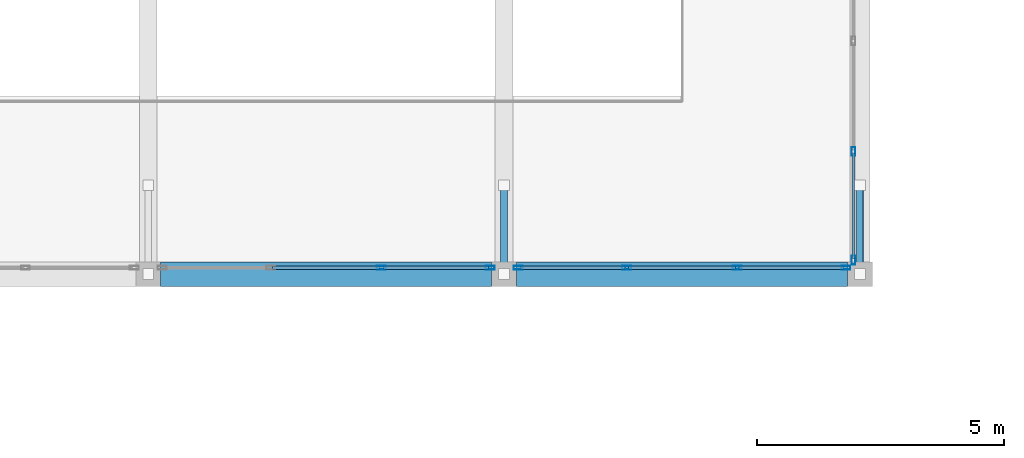
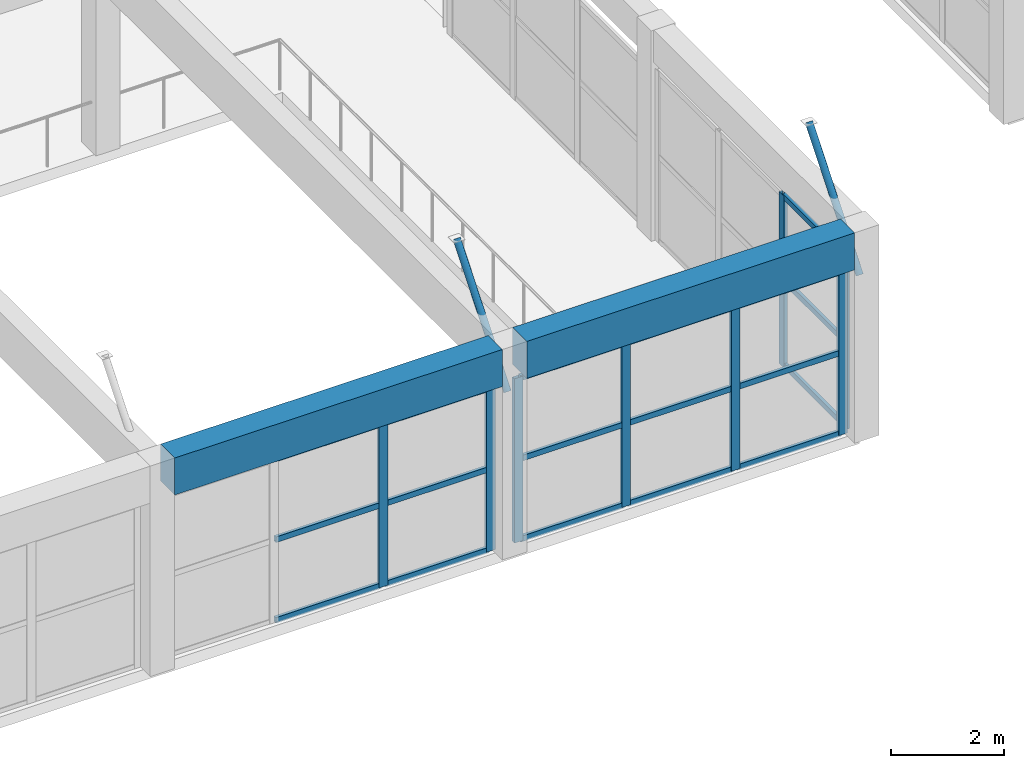
# One storey, part 36 of 153: 28 members, 2 beams, 3 elements without a shape of their own.
"""IFC4 building model written with IfcOpenShell, lengths in metres."""

from ifc_helpers import new_model, si_unit, direction, frame, origin, origin_2d, place, context, subcontext, project, spatial, rectangle, hollow_rectangle, hollow_circle, extrude, material, material_profile, profile_set, type_object, element, aggregate, save


model = new_model("IFC4")

# Units and contexts
model_context = context("Model", 3, precision=1e-05, world=origin(), true_north=direction((0.0, 1.0)))
body_context = subcontext(model_context, "Body", "Model", "MODEL_VIEW")
ifc_project = project(units=[si_unit("LENGTHUNIT", "METRE"), si_unit("AREAUNIT", "SQUARE_METRE"), si_unit("VOLUMEUNIT", "CUBIC_METRE"), si_unit("PLANEANGLEUNIT", "RADIAN"), si_unit("MASSUNIT", "GRAM", prefix="KILO")], contexts=[model_context])

# Site, building, storey
site_placement = place(None, origin())
site = spatial("IfcSite", under=ifc_project, at=site_placement, CompositionType="ELEMENT")
building_placement = place(site_placement, origin())
building = spatial("IfcBuilding", under=site, at=building_placement, Name="Bramvelor Terrace Health Centre", CompositionType="ELEMENT")
storey_placement = place(building_placement, frame((0.0, 0.0, 4.800048828125)))
storey = spatial("IfcBuildingStorey", under=building, at=storey_placement, Name="L02", CompositionType="ELEMENT", Elevation=4.800048828125)

# Beams
ifc_material_1 = material(Name="Concrete C40/50", Category="concrete")
ifc_material_profile_1 = material_profile(ifc_material_1, rectangle(XDim=0.5, YDim=0.800048828125, at=origin_2d()), Name="RC 500x800")
ifc_profile_set_1 = profile_set([ifc_material_profile_1], Name="Concrete C40/50")
beam_type = type_object("IfcBeamType", Name="BM-RC-G800", PredefinedType="BEAM", material=ifc_profile_set_1)
beam_1_placement = place(storey_placement, frame((79.449951171875, 36.0, 4.14990234375), z_axis=(1.0, 0.0, 0.0), x_axis=(0.0, 1.0, 0.0)))
element("IfcBeam", 1, at=beam_1_placement, inside=storey, type_object=beam_type, Name="L02 Floor Girder", PredefinedType="BEAM", context=body_context, shape_type="SweptSolid", body=[
    extrude(rectangle(XDim=0.5, YDim=0.800048828125, at=origin_2d()), origin(), (0.0, 0.0, 1.0), 6.699951171875),
])
beam_2_placement = place(storey_placement, frame((86.64990234375, 36.0, 4.14990234375), z_axis=(1.0, 0.0, 0.0), x_axis=(0.0, 1.0, 0.0)))
element("IfcBeam", 2, at=beam_2_placement, inside=storey, type_object=beam_type, Name="L02 Floor Girder", PredefinedType="BEAM", context=body_context, shape_type="SweptSolid", body=[
    extrude(rectangle(XDim=0.5, YDim=0.800048828125, at=origin_2d()), origin(), (0.0, 0.0, 1.0), 6.7001953125),
])

# Curtain wall, members
ifc_material_2 = material(Name="Anodized aluminium and double low-E glass", Category="aluminium")
curtain_wall_type_1 = type_object("IfcCurtainWallType", Name="CW-SYS-17", PredefinedType="NOTDEFINED", material=ifc_material_2)
curtain_wall_1_placement = place(storey_placement, origin())
curtain_wall_1 = element("IfcCurtainWall", 3, at=curtain_wall_1_placement, inside=storey, type_object=curtain_wall_type_1, Name="L02 Unitized Curtain Wall 116", PredefinedType="NOTDEFINED")
ifc_material_3 = material(Name="Anodized aluminium 6063-T6", Category="aluminium")
ifc_material_profile_2 = material_profile(ifc_material_3, hollow_rectangle(XDim=0.074951171875, YDim=0.179931640625, WallThickness=0.00341796875, at=origin_2d()), Name="ALU-MUL 75x180x3.5")
ifc_profile_set_2 = profile_set([ifc_material_profile_2], Name="Anodized aluminium 6063-T6")
member_type_1 = type_object("IfcMemberType", Name="CW-MUL-65x180", PredefinedType="MULLION", material=ifc_profile_set_2)
member_1_placement = place(storey_placement, frame((93.469970703125, 38.481689453125, 0.0), z_axis=(0.0, 0.0, 1.0), x_axis=(1.0, 0.0, 0.0)))
member_1 = element("IfcMember", 4, at=member_1_placement, type_object=member_type_1, Name="CW-17 mullion 3", PredefinedType="MULLION", context=body_context, shape_type="SweptSolid", body=[
    extrude(hollow_rectangle(XDim=0.074951171875, YDim=0.179931640625, WallThickness=0.00341796875, at=origin_2d()), origin(), (0.0, 0.0, 1.0), 3.7099609375),
])
member_2_placement = place(storey_placement, frame((93.469970703125, 36.282470703125, 0.0), z_axis=(0.0, 0.0, 1.0), x_axis=(1.0, 0.0, 0.0)))
member_2 = element("IfcMember", 5, at=member_2_placement, type_object=member_type_1, Name="CW-17 mullion 4", PredefinedType="MULLION", context=body_context, shape_type="SweptSolid", body=[
    extrude(hollow_rectangle(XDim=0.074951171875, YDim=0.179931640625, WallThickness=0.00341796875, at=origin_2d()), origin(), (0.0, 0.0, 1.0), 3.7099609375),
])

ifc_material_4 = material(Name="Anodized aluminium and double low-E glass", Category="aluminium")
curtain_wall_type_2 = type_object("IfcCurtainWallType", Name="CW-SYS-20", PredefinedType="NOTDEFINED", material=ifc_material_4)
curtain_wall_2_placement = place(storey_placement, origin())
curtain_wall_2 = element("IfcCurtainWall", 6, at=curtain_wall_2_placement, inside=storey, type_object=curtain_wall_type_2, Name="L02 Unitized Curtain Wall 117", PredefinedType="NOTDEFINED")
member_3_placement = place(storey_placement, frame((93.3173828125, 36.1298828125, 0.0), z_axis=(0.0, 0.0, 1.0), x_axis=(0.0, -1.0, 0.0)))
member_3 = element("IfcMember", 7, at=member_3_placement, type_object=member_type_1, Name="CW-20 mullion 1", PredefinedType="MULLION", context=body_context, shape_type="SweptSolid", body=[
    extrude(hollow_rectangle(XDim=0.074951171875, YDim=0.179931640625, WallThickness=0.00341796875, at=origin_2d()), origin(), (0.0, 0.0, 1.0), 3.550048828125),
])
member_4_placement = place(storey_placement, frame((91.118408203125, 36.1298828125, 0.0), z_axis=(0.0, 0.0, 1.0), x_axis=(0.0, -1.0, 0.0)))
member_4 = element("IfcMember", 8, at=member_4_placement, type_object=member_type_1, Name="CW-20 mullion 2", PredefinedType="MULLION", context=body_context, shape_type="SweptSolid", body=[
    extrude(hollow_rectangle(XDim=0.074951171875, YDim=0.179931640625, WallThickness=0.00341796875, at=origin_2d()), origin(), (0.0, 0.0, 1.0), 3.550048828125),
])
member_5_placement = place(storey_placement, frame((88.881591796875, 36.1298828125, 0.0), z_axis=(0.0, 0.0, 1.0), x_axis=(0.0, -1.0, 0.0)))
member_5 = element("IfcMember", 9, at=member_5_placement, type_object=member_type_1, Name="CW-20 mullion 3", PredefinedType="MULLION", context=body_context, shape_type="SweptSolid", body=[
    extrude(hollow_rectangle(XDim=0.074951171875, YDim=0.179931640625, WallThickness=0.00341796875, at=origin_2d()), origin(), (0.0, 0.0, 1.0), 3.550048828125),
])
member_6_placement = place(storey_placement, frame((86.6826171875, 36.1298828125, 0.0), z_axis=(0.0, 0.0, 1.0), x_axis=(0.0, -1.0, 0.0)))
member_6 = element("IfcMember", 10, at=member_6_placement, type_object=member_type_1, Name="CW-20 mullion 4", PredefinedType="MULLION", context=body_context, shape_type="SweptSolid", body=[
    extrude(hollow_rectangle(XDim=0.074951171875, YDim=0.179931640625, WallThickness=0.00341796875, at=origin_2d()), origin(), (0.0, 0.0, 1.0), 3.550048828125),
])

curtain_wall_3_placement = place(storey_placement, origin())
curtain_wall_3 = element("IfcCurtainWall", 11, at=curtain_wall_3_placement, inside=storey, type_object=curtain_wall_type_2, Name="L02 Unitized Curtain Wall 118", PredefinedType="NOTDEFINED")
member_7_placement = place(storey_placement, frame((86.117431640625, 36.1298828125, 0.0), z_axis=(0.0, 0.0, 1.0), x_axis=(0.0, -1.0, 0.0)))
member_7 = element("IfcMember", 12, at=member_7_placement, type_object=member_type_1, Name="CW-20 mullion 1", PredefinedType="MULLION", context=body_context, shape_type="SweptSolid", body=[
    extrude(hollow_rectangle(XDim=0.074951171875, YDim=0.179931640625, WallThickness=0.00341796875, at=origin_2d()), origin(), (0.0, 0.0, 1.0), 3.550048828125),
])
member_8_placement = place(storey_placement, frame((83.918212890625, 36.1298828125, 0.0), z_axis=(0.0, 0.0, 1.0), x_axis=(0.0, -1.0, 0.0)))
member_8 = element("IfcMember", 13, at=member_8_placement, type_object=member_type_1, Name="CW-20 mullion 2", PredefinedType="MULLION", context=body_context, shape_type="SweptSolid", body=[
    extrude(hollow_rectangle(XDim=0.074951171875, YDim=0.179931640625, WallThickness=0.00341796875, at=origin_2d()), origin(), (0.0, 0.0, 1.0), 3.550048828125),
])

# Member
ifc_material_5 = material(Name="Anodized aluminium 6063-T6", Category="aluminium")
ifc_material_profile_3 = material_profile(ifc_material_5, hollow_rectangle(XDim=0.06494140625, YDim=0.1201171875, WallThickness=0.0029296875, at=origin_2d()), Name="ALU-TRN 65x120x3.0")
ifc_profile_set_3 = profile_set([ifc_material_profile_3], Name="Anodized aluminium 6063-T6")
member_type_2 = type_object("IfcMemberType", Name="CW-TRN-65x150", PredefinedType="USERDEFINED", material=ifc_profile_set_3)
member_9_placement = place(storey_placement, frame((93.469970703125, 38.444091796875, 0.032470703125), z_axis=(0.0, -1.0, 0.0), x_axis=(1.0, 0.0, 0.0)))
member_9 = element("IfcMember", 14, at=member_9_placement, type_object=member_type_2, Name="CW-17 transom 3.1", ObjectType="TRANSOM", PredefinedType="USERDEFINED", context=body_context, shape_type="SweptSolid", body=[
    extrude(hollow_rectangle(XDim=0.06494140625, YDim=0.1201171875, WallThickness=0.0029296875, at=origin_2d()), origin(), (0.0, 0.0, 1.0), 2.1240234375),
])

member_10_placement = place(storey_placement, frame((93.469970703125, 38.444091796875, 1.85498046875), z_axis=(0.0, -1.0, 0.0), x_axis=(1.0, 0.0, 0.0)))
member_10 = element("IfcMember", 15, at=member_10_placement, type_object=member_type_2, Name="CW-17 transom 3.2", ObjectType="TRANSOM", PredefinedType="USERDEFINED", context=body_context, shape_type="SweptSolid", body=[
    extrude(hollow_rectangle(XDim=0.06494140625, YDim=0.1201171875, WallThickness=0.0029296875, at=origin_2d()), origin(), (0.0, 0.0, 1.0), 2.1240234375),
])

member_11_placement = place(storey_placement, frame((93.469970703125, 38.444091796875, 3.677490234375), z_axis=(0.0, -1.0, 0.0), x_axis=(1.0, 0.0, 0.0)))
member_11 = element("IfcMember", 16, at=member_11_placement, type_object=member_type_2, Name="CW-17 transom 3.3", ObjectType="TRANSOM", PredefinedType="USERDEFINED", context=body_context, shape_type="SweptSolid", body=[
    extrude(hollow_rectangle(XDim=0.06494140625, YDim=0.1201171875, WallThickness=0.0029296875, at=origin_2d()), origin(), (0.0, 0.0, 1.0), 2.1240234375),
])

aggregate(curtain_wall_1, [member_1, member_2, member_9, member_10, member_11])

member_12_placement = place(storey_placement, frame((93.280029296875, 36.1298828125, 0.032470703125), z_axis=(-1.0, 0.0, 0.0), x_axis=(0.0, -1.0, 0.0)))
member_12 = element("IfcMember", 17, at=member_12_placement, type_object=member_type_2, Name="CW-20 transom 1.1", ObjectType="TRANSOM", PredefinedType="USERDEFINED", context=body_context, shape_type="SweptSolid", body=[
    extrude(hollow_rectangle(XDim=0.06494140625, YDim=0.1201171875, WallThickness=0.0029296875, at=origin_2d()), origin(), (0.0, 0.0, 1.0), 2.124267578125),
])

member_13_placement = place(storey_placement, frame((93.280029296875, 36.1298828125, 1.77490234375), z_axis=(-1.0, 0.0, 0.0), x_axis=(0.0, -1.0, 0.0)))
member_13 = element("IfcMember", 18, at=member_13_placement, type_object=member_type_2, Name="CW-20 transom 1.2", ObjectType="TRANSOM", PredefinedType="USERDEFINED", context=body_context, shape_type="SweptSolid", body=[
    extrude(hollow_rectangle(XDim=0.06494140625, YDim=0.1201171875, WallThickness=0.0029296875, at=origin_2d()), origin(), (0.0, 0.0, 1.0), 2.124267578125),
])

member_14_placement = place(storey_placement, frame((93.280029296875, 36.1298828125, 3.517333984375), z_axis=(-1.0, 0.0, 0.0), x_axis=(0.0, -1.0, 0.0)))
member_14 = element("IfcMember", 19, at=member_14_placement, type_object=member_type_2, Name="CW-20 transom 1.3", ObjectType="TRANSOM", PredefinedType="USERDEFINED", context=body_context, shape_type="SweptSolid", body=[
    extrude(hollow_rectangle(XDim=0.06494140625, YDim=0.1201171875, WallThickness=0.0029296875, at=origin_2d()), origin(), (0.0, 0.0, 1.0), 2.124267578125),
])

member_15_placement = place(storey_placement, frame((91.080810546875, 36.1298828125, 0.032470703125), z_axis=(-1.0, 0.0, 0.0), x_axis=(0.0, -1.0, 0.0)))
member_15 = element("IfcMember", 20, at=member_15_placement, type_object=member_type_2, Name="CW-20 transom 2.1", ObjectType="TRANSOM", PredefinedType="USERDEFINED", context=body_context, shape_type="SweptSolid", body=[
    extrude(hollow_rectangle(XDim=0.06494140625, YDim=0.1201171875, WallThickness=0.0029296875, at=origin_2d()), origin(), (0.0, 0.0, 1.0), 2.16162109375),
])

member_16_placement = place(storey_placement, frame((91.080810546875, 36.1298828125, 1.77490234375), z_axis=(-1.0, 0.0, 0.0), x_axis=(0.0, -1.0, 0.0)))
member_16 = element("IfcMember", 21, at=member_16_placement, type_object=member_type_2, Name="CW-20 transom 2.2", ObjectType="TRANSOM", PredefinedType="USERDEFINED", context=body_context, shape_type="SweptSolid", body=[
    extrude(hollow_rectangle(XDim=0.06494140625, YDim=0.1201171875, WallThickness=0.0029296875, at=origin_2d()), origin(), (0.0, 0.0, 1.0), 2.16162109375),
])

member_17_placement = place(storey_placement, frame((91.080810546875, 36.1298828125, 3.517333984375), z_axis=(-1.0, 0.0, 0.0), x_axis=(0.0, -1.0, 0.0)))
member_17 = element("IfcMember", 22, at=member_17_placement, type_object=member_type_2, Name="CW-20 transom 2.3", ObjectType="TRANSOM", PredefinedType="USERDEFINED", context=body_context, shape_type="SweptSolid", body=[
    extrude(hollow_rectangle(XDim=0.06494140625, YDim=0.1201171875, WallThickness=0.0029296875, at=origin_2d()), origin(), (0.0, 0.0, 1.0), 2.16162109375),
])

member_18_placement = place(storey_placement, frame((88.84423828125, 36.1298828125, 0.032470703125), z_axis=(-1.0, 0.0, 0.0), x_axis=(0.0, -1.0, 0.0)))
member_18 = element("IfcMember", 23, at=member_18_placement, type_object=member_type_2, Name="CW-20 transom 3.1", ObjectType="TRANSOM", PredefinedType="USERDEFINED", context=body_context, shape_type="SweptSolid", body=[
    extrude(hollow_rectangle(XDim=0.06494140625, YDim=0.1201171875, WallThickness=0.0029296875, at=origin_2d()), origin(), (0.0, 0.0, 1.0), 2.124267578125),
])

member_19_placement = place(storey_placement, frame((88.84423828125, 36.1298828125, 1.77490234375), z_axis=(-1.0, 0.0, 0.0), x_axis=(0.0, -1.0, 0.0)))
member_19 = element("IfcMember", 24, at=member_19_placement, type_object=member_type_2, Name="CW-20 transom 3.2", ObjectType="TRANSOM", PredefinedType="USERDEFINED", context=body_context, shape_type="SweptSolid", body=[
    extrude(hollow_rectangle(XDim=0.06494140625, YDim=0.1201171875, WallThickness=0.0029296875, at=origin_2d()), origin(), (0.0, 0.0, 1.0), 2.124267578125),
])

member_20_placement = place(storey_placement, frame((88.84423828125, 36.1298828125, 3.517333984375), z_axis=(-1.0, 0.0, 0.0), x_axis=(0.0, -1.0, 0.0)))
member_20 = element("IfcMember", 25, at=member_20_placement, type_object=member_type_2, Name="CW-20 transom 3.3", ObjectType="TRANSOM", PredefinedType="USERDEFINED", context=body_context, shape_type="SweptSolid", body=[
    extrude(hollow_rectangle(XDim=0.06494140625, YDim=0.1201171875, WallThickness=0.0029296875, at=origin_2d()), origin(), (0.0, 0.0, 1.0), 2.124267578125),
])

aggregate(curtain_wall_2, [member_3, member_4, member_5, member_6, member_12, member_13, member_14, member_15, member_16, member_17, member_18, member_19, member_20])

member_21_placement = place(storey_placement, frame((86.080078125, 36.1298828125, 0.032470703125), z_axis=(-1.0, 0.0, 0.0), x_axis=(0.0, -1.0, 0.0)))
member_21 = element("IfcMember", 26, at=member_21_placement, type_object=member_type_2, Name="CW-20 transom 1.1", ObjectType="TRANSOM", PredefinedType="USERDEFINED", context=body_context, shape_type="SweptSolid", body=[
    extrude(hollow_rectangle(XDim=0.06494140625, YDim=0.1201171875, WallThickness=0.0029296875, at=origin_2d()), origin(), (0.0, 0.0, 1.0), 2.124267578125),
])

member_22_placement = place(storey_placement, frame((86.080078125, 36.1298828125, 1.77490234375), z_axis=(-1.0, 0.0, 0.0), x_axis=(0.0, -1.0, 0.0)))
member_22 = element("IfcMember", 27, at=member_22_placement, type_object=member_type_2, Name="CW-20 transom 1.2", ObjectType="TRANSOM", PredefinedType="USERDEFINED", context=body_context, shape_type="SweptSolid", body=[
    extrude(hollow_rectangle(XDim=0.06494140625, YDim=0.1201171875, WallThickness=0.0029296875, at=origin_2d()), origin(), (0.0, 0.0, 1.0), 2.124267578125),
])

member_23_placement = place(storey_placement, frame((86.080078125, 36.1298828125, 3.517333984375), z_axis=(-1.0, 0.0, 0.0), x_axis=(0.0, -1.0, 0.0)))
member_23 = element("IfcMember", 28, at=member_23_placement, type_object=member_type_2, Name="CW-20 transom 1.3", ObjectType="TRANSOM", PredefinedType="USERDEFINED", context=body_context, shape_type="SweptSolid", body=[
    extrude(hollow_rectangle(XDim=0.06494140625, YDim=0.1201171875, WallThickness=0.0029296875, at=origin_2d()), origin(), (0.0, 0.0, 1.0), 2.124267578125),
])

member_24_placement = place(storey_placement, frame((83.880859375, 36.1298828125, 0.032470703125), z_axis=(-1.0, 0.0, 0.0), x_axis=(0.0, -1.0, 0.0)))
member_24 = element("IfcMember", 29, at=member_24_placement, type_object=member_type_2, Name="CW-20 transom 2.1", ObjectType="TRANSOM", PredefinedType="USERDEFINED", context=body_context, shape_type="SweptSolid", body=[
    extrude(hollow_rectangle(XDim=0.06494140625, YDim=0.1201171875, WallThickness=0.0029296875, at=origin_2d()), origin(), (0.0, 0.0, 1.0), 2.16162109375),
])

member_25_placement = place(storey_placement, frame((83.880859375, 36.1298828125, 1.77490234375), z_axis=(-1.0, 0.0, 0.0), x_axis=(0.0, -1.0, 0.0)))
member_25 = element("IfcMember", 30, at=member_25_placement, type_object=member_type_2, Name="CW-20 transom 2.2", ObjectType="TRANSOM", PredefinedType="USERDEFINED", context=body_context, shape_type="SweptSolid", body=[
    extrude(hollow_rectangle(XDim=0.06494140625, YDim=0.1201171875, WallThickness=0.0029296875, at=origin_2d()), origin(), (0.0, 0.0, 1.0), 2.16162109375),
])

member_26_placement = place(storey_placement, frame((83.880859375, 36.1298828125, 3.517333984375), z_axis=(-1.0, 0.0, 0.0), x_axis=(0.0, -1.0, 0.0)))
member_26 = element("IfcMember", 31, at=member_26_placement, type_object=member_type_2, Name="CW-20 transom 2.3", ObjectType="TRANSOM", PredefinedType="USERDEFINED", context=body_context, shape_type="SweptSolid", body=[
    extrude(hollow_rectangle(XDim=0.06494140625, YDim=0.1201171875, WallThickness=0.0029296875, at=origin_2d()), origin(), (0.0, 0.0, 1.0), 2.16162109375),
])

aggregate(curtain_wall_3, [member_7, member_8, member_21, member_22, member_23, member_24, member_25, member_26])

# Members
ifc_material_6 = material(Name="Steel S355J2", Category="steel")
ifc_material_profile_4 = material_profile(ifc_material_6, hollow_circle(Radius=0.06982421875, WallThickness=0.0048828125, at=origin_2d()), Name="CHS 139.7x5.0")
ifc_profile_set_4 = profile_set([ifc_material_profile_4], Name="Steel S355J2")
member_type_3 = type_object("IfcMemberType", Name="MEM-STL-CHS139", PredefinedType="STRUT", material=ifc_profile_set_4)
for number, where, z_axis, x_axis, name in (
    (32, (86.39990234375, 36.0, 3.39990234375), (0.0, 0.62952484871, 0.776980350367), (-1.0, 0.0, 0.0), "Waiting Hall Storm-Eave Knee Strut S7"),
    (33, (93.60009765625, 36.0, 3.39990234375), (0.0, 0.62952484871, 0.776980350367), (-1.0, 0.0, 0.0), "Waiting Hall Storm-Eave Knee Strut S8"),
):
    element("IfcMember", number, at=place(storey_placement, frame(where, z_axis=z_axis, x_axis=x_axis)), inside=storey, type_object=member_type_3, Name=name, PredefinedType="STRUT", context=body_context, shape_type="SweptSolid", body=[
        extrude(hollow_circle(Radius=0.06982421875, WallThickness=0.0048828125, at=origin_2d()), origin(), (0.0, 0.0, 1.0), 2.859375),
    ])

save(model, "model.ifc")
